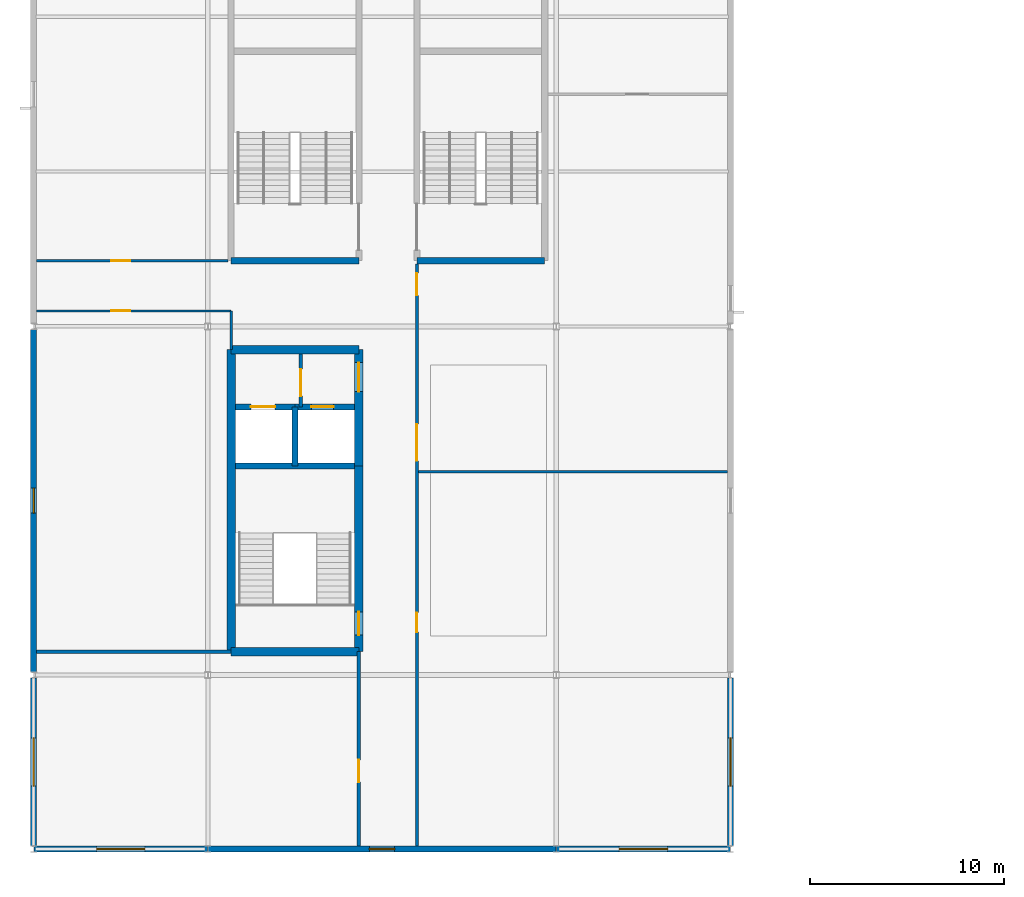
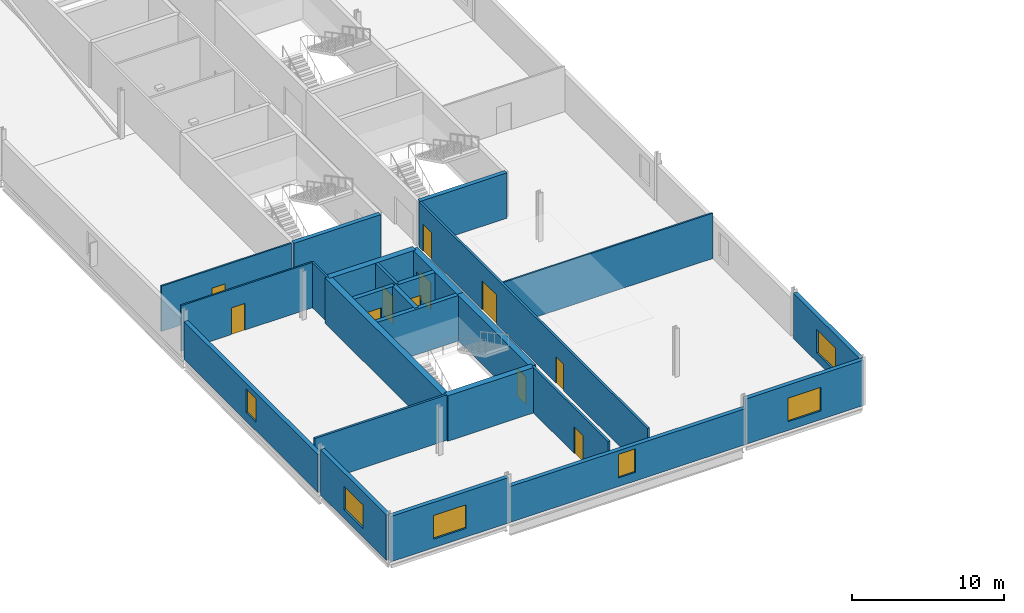
# One storey, part 11 of 27: 25 walls, 11 doors, 6 windows, 17 openings.
"""IFC4 building model written with IfcOpenShell, lengths in metres."""

import ifcopenshell
import ifcopenshell.guid

model = None  # the IFC model being written
_history = None  # IfcOwnerHistory: only IFC2X3 demands one
_inside = {}  # id of a spatial element -> (the spatial element, [elements in it])
_under = {}  # id of a project, library or spatial element -> (it, [spatial elements below it])
_declared = {}  # id of a project -> (the project, [libraries it declares])
_typed = {}  # id of a type object -> (the type object, [elements of that type])
_made_of = {}  # id of a material, layer set ... -> (it, [elements and type objects made of it])


def new_model(schema):
    """Start an empty IFC model of exactly this schema.

    Asked for "IFC4X3", IfcOpenShell would pick the latest addendum, in which some entities
    have other attributes; the version numbers below select the first issue.
    IFC2X3 requires an IfcOwnerHistory on every rooted entity: one is made here for all.
    """
    global model, _history
    if schema == "IFC4X3":
        model = ifcopenshell.file(schema_version=(4, 3, 0, 0))
    else:
        model = ifcopenshell.file(schema=schema)
    _inside.clear()
    _under.clear()
    _declared.clear()
    _typed.clear()
    _made_of.clear()
    _history = None
    if model.schema == "IFC2X3":
        org = make("IfcOrganization", Name="unknown")
        user = make(
            "IfcPersonAndOrganization",
            ThePerson=make("IfcPerson", FamilyName="unknown"),
            TheOrganization=org,
        )
        app = make(
            "IfcApplication",
            ApplicationDeveloper=org,
            Version="unknown",
            ApplicationFullName="unknown",
            ApplicationIdentifier="unknown",
        )
        _history = make(
            "IfcOwnerHistory",
            OwningUser=user,
            OwningApplication=app,
            ChangeAction="ADDED",
            CreationDate=0,
        )
    return model


def make(cls, **values):
    """One entity of the class cls with the attributes given. An attribute that is None is left unset."""
    return model.create_entity(
        cls, **{name: value for name, value in values.items() if value is not None}
    )


def rooted(cls, **values):
    """An entity with a GlobalId (a new one), such as an element, a storey or a relation."""
    return make(cls, GlobalId=ifcopenshell.guid.new(), OwnerHistory=_history, **values)


def si_unit(unit_type, name, prefix=None):
    """IfcSIUnit, for example si_unit("LENGTHUNIT", "METRE", prefix="MILLI")."""
    return make("IfcSIUnit", UnitType=unit_type, Prefix=prefix, Name=name)


def assignment(units):
    """IfcUnitAssignment: the units of a project."""
    return None if units is None else make("IfcUnitAssignment", Units=units)


def point(xyz):
    """IfcCartesianPoint."""
    return None if xyz is None else make("IfcCartesianPoint", Coordinates=xyz)


def direction(xyz):
    """IfcDirection."""
    return None if xyz is None else make("IfcDirection", DirectionRatios=xyz)


def frame(location, z_axis=None, x_axis=None):
    """IfcAxis2Placement3D, a coordinate frame: its origin and axes. An axis left out is left unset."""
    return make(
        "IfcAxis2Placement3D",
        Location=point(location),
        Axis=direction(z_axis),
        RefDirection=direction(x_axis),
    )


def frame_2d(location, x_axis=None):
    """IfcAxis2Placement2D, a coordinate frame in the plane: its origin and x axis."""
    return make(
        "IfcAxis2Placement2D", Location=point(location), RefDirection=direction(x_axis)
    )


def origin():
    """The frame at (0, 0, 0) with its axes left unset."""
    return frame((0.0, 0.0, 0.0))


def place(relative_to, where):
    """IfcLocalPlacement: puts the frame where relative to a parent placement (None: the world)."""
    return make(
        "IfcLocalPlacement", PlacementRelTo=relative_to, RelativePlacement=where
    )


def context(
    kind, dimensions, precision=None, world=None, true_north=None, identifier=None
):
    """IfcGeometricRepresentationContext, for example the 3D "Model" context."""
    return make(
        "IfcGeometricRepresentationContext",
        ContextIdentifier=identifier,
        ContextType=kind,
        CoordinateSpaceDimension=dimensions,
        Precision=precision,
        WorldCoordinateSystem=world,
        TrueNorth=true_north,
    )


def subcontext(parent, identifier, kind, view, scale=None):
    """IfcGeometricRepresentationSubContext, for example "Body" below "Model"."""
    return make(
        "IfcGeometricRepresentationSubContext",
        ContextIdentifier=identifier,
        ContextType=kind,
        ParentContext=parent,
        TargetScale=scale,
        TargetView=view,
    )


def project(units=None, contexts=None):
    """IfcProject with its units and contexts."""
    return rooted(
        "IfcProject",
        Name="project",
        RepresentationContexts=contexts,
        UnitsInContext=assignment(units),
    )


def spatial(cls, under=None, at=None, **own):
    """A site, building, storey or space (cls), placed at a placement, below another one or the project."""
    s = rooted(cls, ObjectPlacement=at, **own)
    if under is not None:
        _under.setdefault(under.id(), (under, []))[1].append(s)
    return s


def profile(cls, at=None, kind="AREA", **sizes):
    """A parametric profile (cls). Its sizes go by their IFC names, for example OverallWidth=200.0."""
    return make(cls, ProfileType=kind, Position=at, **sizes)


def rectangle(**sizes):
    """IfcRectangleProfileDef."""
    return profile("IfcRectangleProfileDef", **sizes)


def extrude(swept, where, along, depth):
    """IfcExtrudedAreaSolid: the profile swept, set in the frame where, extruded along a direction by depth."""
    return make(
        "IfcExtrudedAreaSolid",
        SweptArea=swept,
        Position=where,
        ExtrudedDirection=direction(along),
        Depth=depth,
    )


def shape(context_of_items, identifier, shape_type, items):
    """IfcShapeRepresentation: the items that make up one representation, for example the "Body"."""
    return make(
        "IfcShapeRepresentation",
        ContextOfItems=context_of_items,
        RepresentationIdentifier=identifier,
        RepresentationType=shape_type,
        Items=items,
    )


def material(Name=None, Category=None):
    """IfcMaterial."""
    return make("IfcMaterial", Name=Name, Category=Category)


def layer(
    of_material, thickness, ventilated=None, Name=None, Category=None, Priority=None
):
    """IfcMaterialLayer: one layer of a wall or slab, of a material (None: an air gap)."""
    return make(
        "IfcMaterialLayer",
        Material=of_material,
        LayerThickness=thickness,
        IsVentilated=ventilated,
        Name=Name,
        Category=Category,
        Priority=Priority,
    )


def layer_set(layers, Name=None):
    """IfcMaterialLayerSet."""
    return make("IfcMaterialLayerSet", MaterialLayers=layers, LayerSetName=Name)


def made_of(thing, what):
    """Note that an element or type object is made of a material, layer set ...; save() writes the relation."""
    if what is not None:
        _made_of.setdefault(what.id(), (what, []))[1].append(thing)
    return thing


def type_object(cls, material=None, **own):
    """A type object (cls), such as IfcWallType, which elements share."""
    return made_of(rooted(cls, **own), material)


def element(
    cls,
    number,
    at=None,
    inside=None,
    cuts=None,
    type_object=None,
    material=None,
    context=None,
    identifier="Body",
    shape_type=None,
    held_by="IfcProductDefinitionShape",
    body=None,
    shapes=None,
    **own,
):
    """One element of the class cls, such as IfcWall. Its Tag is "e" and its number.

    at: its placement. inside: the storey or other place that contains it. cuts: it is an
    opening in that element (IfcRelVoidsElement). A single representation is given by context,
    identifier, shape_type and body (its items); several are given by shapes. held_by: the class
    of the entity that holds the representations. save() writes the other relations.
    """
    e = rooted(cls, Tag="e%d" % number, ObjectPlacement=at, **own)
    if body is not None:
        shapes = [shape(context, identifier, shape_type, body)]
    if shapes is not None:
        e.Representation = make(held_by, Representations=shapes)
    if inside is not None:
        _inside.setdefault(inside.id(), (inside, []))[1].append(e)
    if cuts is not None:
        rooted(
            "IfcRelVoidsElement", RelatingBuildingElement=cuts, RelatedOpeningElement=e
        )
    if type_object is not None:
        _typed.setdefault(type_object.id(), (type_object, []))[1].append(e)
    return made_of(e, material)


def fill(opening, filler):
    """IfcRelFillsElement: the door or window that sits in an opening."""
    return rooted(
        "IfcRelFillsElement",
        RelatingOpeningElement=opening,
        RelatedBuildingElement=filler,
    )


def aggregate(whole, parts):
    """IfcRelAggregates: a whole, such as a stair, and the parts it consists of."""
    return rooted("IfcRelAggregates", RelatingObject=whole, RelatedObjects=parts)


def save(model, path):
    """Write the relations noted so far, then the file.

    IfcRelAggregates (storeys below a building ...), IfcRelContainedInSpatialStructure (elements
    in a storey), IfcRelDefinesByType, IfcRelAssociatesMaterial and IfcRelDeclares: one each for
    every whole, place, type object, material and project.
    """
    for whole, parts in _under.values():
        aggregate(whole, parts)
    for where, things in _inside.values():
        rooted(
            "IfcRelContainedInSpatialStructure",
            RelatedElements=things,
            RelatingStructure=where,
        )
    for kind, things in _typed.values():
        rooted("IfcRelDefinesByType", RelatedObjects=things, RelatingType=kind)
    for what, things in _made_of.values():
        rooted("IfcRelAssociatesMaterial", RelatedObjects=things, RelatingMaterial=what)
    for by, libraries in _declared.values():
        rooted("IfcRelDeclares", RelatingContext=by, RelatedDefinitions=libraries)
    model.write(path)


model = new_model("IFC4")

# Units and contexts
model_context = context("Model", 3, precision=1e-05, world=origin(), true_north=direction((0.0, 1.0)))
body_context = subcontext(model_context, "Body", "Model", "MODEL_VIEW")
ifc_project = project(units=[si_unit("LENGTHUNIT", "METRE"), si_unit("AREAUNIT", "SQUARE_METRE"), si_unit("VOLUMEUNIT", "CUBIC_METRE"), si_unit("PLANEANGLEUNIT", "RADIAN"), si_unit("MASSUNIT", "GRAM", prefix="KILO")], contexts=[model_context])

# Site, building, storey
site_placement = place(None, origin())
site = spatial("IfcSite", under=ifc_project, at=site_placement, CompositionType="ELEMENT")
building_placement = place(site_placement, origin())
building = spatial("IfcBuilding", under=site, at=building_placement, Name="Kisiwana Market Hall", CompositionType="ELEMENT")
storey_placement = place(building_placement, frame((0.0, 0.0, 41.699951171875)))
storey = spatial("IfcBuildingStorey", under=building, at=storey_placement, Name="L09", CompositionType="ELEMENT", Elevation=41.699951171875)

# Wall, opening, door
ifc_material_1 = material(Name="Masonry blockwork", Category="masonry")
ifc_layer_1 = layer(ifc_material_1, 0.199951171875, Name="Plastered fire compartment block wall")
ifc_layer_set_1 = layer_set([ifc_layer_1], Name="WL-COMP-200")
wall_type_1 = type_object("IfcWallType", Name="WL-COMP-200", PredefinedType="PARTITIONING", material=ifc_layer_set_1)
wall_1_placement = place(storey_placement, frame((13.800048828125, 31.844970703125, 0.0), z_axis=(0.0, 0.0, 1.0), x_axis=(0.0, 1.0, 0.0)))
wall_1 = element("IfcWall", 1, at=wall_1_placement, inside=storey, type_object=wall_type_1, Name="Core W2 firefighting lobby wall W-2543", PredefinedType="PARTITIONING", context=body_context, shape_type="SweptSolid", body=[
    extrude(rectangle(XDim=2.72998046875, YDim=0.199951171875, at=frame_2d((1.364990234375, 0.0))), origin(), (0.0, 0.0, 1.0), 3.655029296875),
])
opening_1_placement = place(wall_1_placement, frame((0.550048828125, 0.0, 0.0)))
opening_1 = element("IfcOpeningElement", 2, at=opening_1_placement, cuts=wall_1, Name="Opening DR-L09-003", PredefinedType="OPENING", context=body_context, shape_type="SweptSolid", body=[
    extrude(rectangle(XDim=1.39990234375, YDim=2.25, at=frame_2d((0.699951171875, 1.125))), frame((0.0, 0.11181640625, 0.0), z_axis=(0.0, -1.0, 0.0), x_axis=(1.0, 0.0, 0.0)), (0.0, 0.0, 1.0), 0.223876953125),
])
ifc_material_2 = material(Name="Steel S275", Category="steel")
door_type_1 = type_object("IfcDoorType", Name="DR-FFLOB-FD120-1400", OperationType="DOUBLE_DOOR_SINGLE_SWING", PredefinedType="DOOR", material=ifc_material_2)
door_1_placement = place(opening_1_placement, frame((1.39990234375, 0.0, 0.0), z_axis=(0.0, 0.0, 1.0), x_axis=(-1.0, 0.0, 0.0)))
door_1 = element("IfcDoor", 3, at=door_1_placement, inside=storey, type_object=door_type_1, Name="Firefighting Lift Lobby W2 Door (L09)", OperationType="DOUBLE_DOOR_SINGLE_SWING", OverallHeight=2.25, OverallWidth=1.39990234375, PredefinedType="DOOR", context=body_context, shape_type="SweptSolid", body=[
    extrude(rectangle(XDim=1.39990234375, YDim=2.25, at=frame_2d((0.699951171875, 1.125))), frame((0.0, 0.02490234375, 0.0), z_axis=(0.0, -1.0, 0.0), x_axis=(1.0, 0.0, 0.0)), (0.0, 0.0, 1.0), 0.050048828125),
])
fill(opening_1, door_1)

# Walls
ifc_material_3 = material(Name="Concrete C40/50", Category="concrete")
ifc_layer_2 = layer(ifc_material_3, 0.320068359375, Name="Reinforced concrete shaft wall")
ifc_layer_set_2 = layer_set([ifc_layer_2], Name="WL-CORE-320")
wall_type_2 = type_object("IfcWallType", Name="WL-CORE-320", PredefinedType="SHEAR", material=ifc_layer_set_2)
wall_2_placement = place(storey_placement, frame((10.425048828125, 28.784912109375, 0.0), z_axis=(0.0, 0.0, 1.0), x_axis=(1.0, 0.0, 0.0)))
element("IfcWall", 4, at=wall_2_placement, inside=storey, type_object=wall_type_2, Name="Core W2 shaft back shear wall W-2428", PredefinedType="SHEAR", context=body_context, shape_type="SweptSolid", body=[
    extrude(rectangle(XDim=6.14990234375, YDim=0.320068359375, at=frame_2d((3.074951171875, 0.0))), origin(), (0.0, 0.0, 1.0), 3.655029296875),
])
wall_3_placement = place(storey_placement, frame((13.5, 28.784912109375, 0.0), z_axis=(0.0, 0.0, 1.0), x_axis=(0.0, 1.0, 0.0)))
element("IfcWall", 5, at=wall_3_placement, inside=storey, type_object=wall_type_2, Name="Core W2 inter-shaft shear wall W-2429", PredefinedType="SHEAR", context=body_context, shape_type="SweptSolid", body=[
    extrude(rectangle(XDim=3.06005859375, YDim=0.320068359375, at=frame_2d((1.530029296875, 0.0))), origin(), (0.0, 0.0, 1.0), 3.655029296875),
])

# Wall, opening, door
wall_4_placement = place(storey_placement, frame((10.425048828125, 31.844970703125, 0.0), z_axis=(0.0, 0.0, 1.0), x_axis=(1.0, 0.0, 0.0)))
wall_4 = element("IfcWall", 6, at=wall_4_placement, inside=storey, type_object=wall_type_2, Name="Core W2 west lift front wall W-2430", PredefinedType="SHEAR", context=body_context, shape_type="SweptSolid", body=[
    extrude(rectangle(XDim=3.074951171875, YDim=0.320068359375, at=frame_2d((1.53759765625, 0.0))), origin(), (0.0, 0.0, 1.0), 3.655029296875),
])
opening_2_placement = place(wall_4_placement, frame((0.800048828125, 0.0, 0.0)))
opening_2 = element("IfcOpeningElement", 7, at=opening_2_placement, cuts=wall_4, Name="Opening LD-L09-001", PredefinedType="OPENING", context=body_context, shape_type="SweptSolid", body=[
    extrude(rectangle(XDim=1.25, YDim=2.25, at=frame_2d((0.625, 1.125))), frame((0.0, 0.171875, 0.0), z_axis=(0.0, -1.0, 0.0), x_axis=(1.0, 0.0, 0.0)), (0.0, 0.0, 1.0), 0.343994140625),
])
ifc_material_4 = material(Name="Steel S275", Category="steel")
door_type_2 = type_object("IfcDoorType", Name="DR-LIFT-FFL-1250", OperationType="DOUBLE_DOOR_SLIDING", PredefinedType="DOOR", material=ifc_material_4)
door_2_placement = place(opening_2_placement, origin())
door_2 = element("IfcDoor", 8, at=door_2_placement, inside=storey, type_object=door_type_2, Name="Lift Landing Door FFL-01 (L09)", OperationType="DOUBLE_DOOR_SLIDING", OverallHeight=2.25, OverallWidth=1.25, PredefinedType="DOOR", context=body_context, shape_type="SweptSolid", body=[
    extrude(rectangle(XDim=1.25, YDim=2.25, at=frame_2d((0.625, 1.125))), frame((0.0, 0.02490234375, 0.0), z_axis=(0.0, -1.0, 0.0), x_axis=(1.0, 0.0, 0.0)), (0.0, 0.0, 1.0), 0.050048828125),
])
fill(opening_2, door_2)

wall_5_placement = place(storey_placement, frame((13.5, 31.844970703125, 0.0), z_axis=(0.0, 0.0, 1.0), x_axis=(1.0, 0.0, 0.0)))
wall_5 = element("IfcWall", 9, at=wall_5_placement, inside=storey, type_object=wall_type_2, Name="Core W2 east lift front wall W-2431", PredefinedType="SHEAR", context=body_context, shape_type="SweptSolid", body=[
    extrude(rectangle(XDim=3.074951171875, YDim=0.320068359375, at=frame_2d((1.53759765625, 0.0))), origin(), (0.0, 0.0, 1.0), 3.655029296875),
])
opening_3_placement = place(wall_5_placement, frame((0.85009765625, 0.0, 0.0)))
opening_3 = element("IfcOpeningElement", 10, at=opening_3_placement, cuts=wall_5, Name="Opening LD-L09-002", PredefinedType="OPENING", context=body_context, shape_type="SweptSolid", body=[
    extrude(rectangle(XDim=1.14990234375, YDim=2.199951171875, at=frame_2d((0.574951171875, 1.10009765625))), frame((0.0, 0.171875, 0.0), z_axis=(0.0, -1.0, 0.0), x_axis=(1.0, 0.0, 0.0)), (0.0, 0.0, 1.0), 0.343994140625),
])
ifc_material_5 = material(Name="Steel S275", Category="steel")
door_type_3 = type_object("IfcDoorType", Name="DR-LIFT-PAX-1150", OperationType="DOUBLE_DOOR_SLIDING", PredefinedType="DOOR", material=ifc_material_5)
door_3_placement = place(opening_3_placement, origin())
door_3 = element("IfcDoor", 11, at=door_3_placement, inside=storey, type_object=door_type_3, Name="Lift Landing Door LP-01 (L09)", OperationType="DOUBLE_DOOR_SLIDING", OverallHeight=2.199951171875, OverallWidth=1.14990234375, PredefinedType="DOOR", context=body_context, shape_type="SweptSolid", body=[
    extrude(rectangle(XDim=1.14990234375, YDim=2.199951171875, at=frame_2d((0.574951171875, 1.10009765625))), frame((0.0, 0.02490234375, 0.0), z_axis=(0.0, -1.0, 0.0), x_axis=(1.0, 0.0, 0.0)), (0.0, 0.0, 1.0), 0.050048828125),
])
fill(opening_3, door_3)

# Walls
wall_6_placement = place(storey_placement, frame((10.199951171875, 39.39990234375, 0.0), z_axis=(0.0, 0.0, 1.0), x_axis=(1.0, 0.0, 0.0)))
element("IfcWall", 12, at=wall_6_placement, inside=storey, type_object=wall_type_2, Name="Core W3 south shear wall W-2459", PredefinedType="SHEAR", context=body_context, shape_type="SweptSolid", body=[
    extrude(rectangle(XDim=6.60009765625, YDim=0.320068359375, at=frame_2d((3.300048828125, 0.0))), origin(), (0.0, 0.0, 1.0), 3.655029296875),
])
wall_7_placement = place(storey_placement, frame((19.800048828125, 39.39990234375, 0.0), z_axis=(0.0, 0.0, 1.0), x_axis=(1.0, 0.0, 0.0)))
element("IfcWall", 13, at=wall_7_placement, inside=storey, type_object=wall_type_2, Name="Core W7 south shear wall W-2479", PredefinedType="SHEAR", context=body_context, shape_type="SweptSolid", body=[
    extrude(rectangle(XDim=6.599853515625, YDim=0.320068359375, at=frame_2d((3.2998046875, 0.0))), origin(), (0.0, 0.0, 1.0), 3.655029296875),
])
ifc_material_6 = material(Name="Concrete C40/50", Category="concrete")
ifc_layer_3 = layer(ifc_material_6, 0.449951171875, Name="Reinforced concrete core wall")
ifc_layer_set_3 = layer_set([ifc_layer_3], Name="WL-CORE-450")
wall_type_3 = type_object("IfcWallType", Name="WL-CORE-450", PredefinedType="SHEAR", material=ifc_layer_set_3)
for number, where, z_axis, x_axis, name in (
    (14, (10.199951171875, 19.199951171875, 0.0), (0.0, 0.0, 1.0), (1.0, 0.0, 0.0), "Core W2 south shear wall W-2423"),
    (15, (10.199951171875, 34.800048828125, 0.0), (0.0, 0.0, 1.0), (1.0, 0.0, 0.0), "Core W2 north shear wall W-2424"),
):
    element("IfcWall", number, at=place(storey_placement, frame(where, z_axis=z_axis, x_axis=x_axis)), inside=storey, type_object=wall_type_3, Name=name, PredefinedType="SHEAR", context=body_context, shape_type="SweptSolid", body=[
        extrude(rectangle(XDim=6.60009765625, YDim=0.449951171875, at=frame_2d((3.300048828125, 0.0))), origin(), (0.0, 0.0, 1.0), 3.655029296875),
    ])
wall_8_placement = place(storey_placement, frame((10.199951171875, 19.199951171875, 0.0), z_axis=(0.0, 0.0, 1.0), x_axis=(0.0, 1.0, 0.0)))
element("IfcWall", 16, at=wall_8_placement, inside=storey, type_object=wall_type_3, Name="Core W2 outer shear wall W-2425", PredefinedType="SHEAR", context=body_context, shape_type="SweptSolid", body=[
    extrude(rectangle(XDim=15.60009765625, YDim=0.449951171875, at=frame_2d((7.800048828125, 0.0))), origin(), (0.0, 0.0, 1.0), 3.655029296875),
])

# Wall, opening, door
wall_9_placement = place(storey_placement, frame((16.800048828125, 19.199951171875, 0.0), z_axis=(0.0, 0.0, 1.0), x_axis=(0.0, 1.0, 0.0)))
wall_9 = element("IfcWall", 17, at=wall_9_placement, inside=storey, type_object=wall_type_3, Name="Core W2 stair corridor shear wall W-2426", PredefinedType="SHEAR", context=body_context, shape_type="SweptSolid", body=[
    extrude(rectangle(XDim=9.5849609375, YDim=0.449951171875, at=frame_2d((4.79248046875, 0.0))), origin(), (0.0, 0.0, 1.0), 3.655029296875),
])
opening_4_placement = place(wall_9_placement, frame((0.85009765625, 0.0, 0.0)))
opening_4 = element("IfcOpeningElement", 18, at=opening_4_placement, cuts=wall_9, Name="Opening DR-L09-001", PredefinedType="OPENING", context=body_context, shape_type="SweptSolid", body=[
    extrude(rectangle(XDim=1.199951171875, YDim=2.199951171875, at=frame_2d((0.60009765625, 1.10009765625))), frame((0.0, 0.23681640625, 0.0), z_axis=(0.0, -1.0, 0.0), x_axis=(1.0, 0.0, 0.0)), (0.0, 0.0, 1.0), 0.473876953125),
])
ifc_material_7 = material(Name="Steel S275", Category="steel")
door_type_4 = type_object("IfcDoorType", Name="DR-STAIR-FD120-1200", OperationType="NOTDEFINED", PredefinedType="DOOR", material=ifc_material_7)
door_4_placement = place(opening_4_placement, origin())
door_4 = element("IfcDoor", 19, at=door_4_placement, inside=storey, type_object=door_type_4, Name="Escape Stair W2 Fire Door (L09)", OperationType="SINGLE_SWING_LEFT", OverallHeight=2.199951171875, OverallWidth=1.199951171875, PredefinedType="DOOR", context=body_context, shape_type="SweptSolid", body=[
    extrude(rectangle(XDim=1.199951171875, YDim=2.199951171875, at=frame_2d((0.60009765625, 1.10009765625))), frame((0.0, 0.02490234375, 0.0), z_axis=(0.0, -1.0, 0.0), x_axis=(1.0, 0.0, 0.0)), (0.0, 0.0, 1.0), 0.050048828125),
])
fill(opening_4, door_4)

wall_10_placement = place(storey_placement, frame((16.800048828125, 28.784912109375, 0.0), z_axis=(0.0, 0.0, 1.0), x_axis=(0.0, 1.0, 0.0)))
wall_10 = element("IfcWall", 20, at=wall_10_placement, inside=storey, type_object=wall_type_3, Name="Core W2 lobby corridor shear wall W-2427", PredefinedType="SHEAR", context=body_context, shape_type="SweptSolid", body=[
    extrude(rectangle(XDim=6.01513671875, YDim=0.449951171875, at=frame_2d((3.007568359375, 0.0))), origin(), (0.0, 0.0, 1.0), 3.655029296875),
])
opening_5_placement = place(wall_10_placement, frame((3.85009765625, 0.0, 0.0)))
opening_5 = element("IfcOpeningElement", 21, at=opening_5_placement, cuts=wall_10, Name="Opening DR-L09-002", PredefinedType="OPENING", context=body_context, shape_type="SweptSolid", body=[
    extrude(rectangle(XDim=1.5, YDim=2.199951171875, at=frame_2d((0.75, 1.10009765625))), frame((0.0, 0.23681640625, 0.0), z_axis=(0.0, -1.0, 0.0), x_axis=(1.0, 0.0, 0.0)), (0.0, 0.0, 1.0), 0.473876953125),
])
ifc_material_8 = material(Name="Steel S275", Category="steel")
door_type_5 = type_object("IfcDoorType", Name="DR-CORR-FD60-1500", OperationType="DOUBLE_DOOR_SINGLE_SWING", PredefinedType="DOOR", material=ifc_material_8)
door_5_placement = place(opening_5_placement, frame((1.5, 0.0, 0.0), z_axis=(0.0, 0.0, 1.0), x_axis=(-1.0, 0.0, 0.0)))
door_5 = element("IfcDoor", 22, at=door_5_placement, inside=storey, type_object=door_type_5, Name="Passenger Lift Lobby W2 Smoke Door (L09)", OperationType="DOUBLE_DOOR_SINGLE_SWING", OverallHeight=2.199951171875, OverallWidth=1.5, PredefinedType="DOOR", context=body_context, shape_type="SweptSolid", body=[
    extrude(rectangle(XDim=1.5, YDim=2.199951171875, at=frame_2d((0.75, 1.10009765625))), frame((0.0, 0.02490234375, 0.0), z_axis=(0.0, -1.0, 0.0), x_axis=(1.0, 0.0, 0.0)), (0.0, 0.0, 1.0), 0.050048828125),
])
fill(opening_5, door_5)

# Wall
ifc_material_9 = material(Name="Masonry blockwork", Category="masonry")
ifc_layer_4 = layer(ifc_material_9, 0.169921875, Name="Protected corridor partition")
ifc_layer_set_4 = layer_set([ifc_layer_4], Name="WL-CORR-170")
wall_type_4 = type_object("IfcWallType", Name="WL-CORR-170", PredefinedType="PARTITIONING", material=ifc_layer_set_4)
wall_11_placement = place(storey_placement, frame((0.157470703125, 19.199951171875, 0.0), z_axis=(0.0, 0.0, 1.0), x_axis=(1.0, 0.0, 0.0)))
element("IfcWall", 23, at=wall_11_placement, inside=storey, type_object=wall_type_4, Name="Interior partition W-2553", PredefinedType="PARTITIONING", context=body_context, shape_type="SweptSolid", body=[
    extrude(rectangle(XDim=10.04248046875, YDim=0.169921875, at=frame_2d((5.021240234375, 0.0))), origin(), (0.0, 0.0, 1.0), 3.655029296875),
])

# Wall, opening, door
wall_12_placement = place(storey_placement, frame((16.800048828125, 9.157470703125, 0.0), z_axis=(0.0, 0.0, 1.0), x_axis=(0.0, 1.0, 0.0)))
wall_12 = element("IfcWall", 24, at=wall_12_placement, inside=storey, type_object=wall_type_4, Name="Interior partition W-2559", PredefinedType="PARTITIONING", context=body_context, shape_type="SweptSolid", body=[
    extrude(rectangle(XDim=10.04248046875, YDim=0.169921875, at=frame_2d((5.021240234375, 0.0))), origin(), (0.0, 0.0, 1.0), 3.655029296875),
])
opening_6_placement = place(wall_12_placement, frame((3.300048828125, 0.0, 0.0)))
opening_6 = element("IfcOpeningElement", 25, at=opening_6_placement, cuts=wall_12, Name="Opening DR-L09-029", PredefinedType="OPENING", context=body_context, shape_type="SweptSolid", body=[
    extrude(rectangle(XDim=1.14990234375, YDim=2.14990234375, at=frame_2d((0.574951171875, 1.074951171875))), frame((0.0, 0.096923828125, 0.0), z_axis=(0.0, -1.0, 0.0), x_axis=(1.0, 0.0, 0.0)), (0.0, 0.0, 1.0), 0.19384765625),
])
ifc_material_10 = material(Name="Aluminium alloy 6063-T6", Category="aluminium")
door_type_6 = type_object("IfcDoorType", Name="DR-MEET-1150", OperationType="NOTDEFINED", PredefinedType="DOOR", material=ifc_material_10)
door_6_placement = place(opening_6_placement, origin())
door_6 = element("IfcDoor", 26, at=door_6_placement, inside=storey, type_object=door_type_6, Name="L09 W Corner Office Suite South Door", OperationType="SINGLE_SWING_LEFT", OverallHeight=2.14990234375, OverallWidth=1.14990234375, PredefinedType="DOOR", context=body_context, shape_type="SweptSolid", body=[
    extrude(rectangle(XDim=1.14990234375, YDim=2.14990234375, at=frame_2d((0.574951171875, 1.074951171875))), frame((0.0, 0.02490234375, 0.0), z_axis=(0.0, -1.0, 0.0), x_axis=(1.0, 0.0, 0.0)), (0.0, 0.0, 1.0), 0.050048828125),
])
fill(opening_6, door_6)

# Wall, openings, doors
wall_13_placement = place(storey_placement, frame((19.800048828125, 9.157470703125, 0.0), z_axis=(0.0, 0.0, 1.0), x_axis=(0.0, 1.0, 0.0)))
wall_13 = element("IfcWall", 27, at=wall_13_placement, inside=storey, type_object=wall_type_4, Name="Interior partition W-2565", PredefinedType="PARTITIONING", context=body_context, shape_type="SweptSolid", body=[
    extrude(rectangle(XDim=30.08251953125, YDim=0.169921875, at=frame_2d((15.041259765625, 0.0))), origin(), (0.0, 0.0, 1.0), 3.655029296875),
])
opening_7_placement = place(wall_13_placement, frame((11.052978515625, 0.0, 0.0)))
opening_7 = element("IfcOpeningElement", 28, at=opening_7_placement, cuts=wall_13, Name="Opening DR-L09-032", PredefinedType="OPENING", context=body_context, shape_type="SweptSolid", body=[
    extrude(rectangle(XDim=1.0, YDim=2.14990234375, at=frame_2d((0.5, 1.074951171875))), frame((0.0, 0.096923828125, 0.0), z_axis=(0.0, -1.0, 0.0), x_axis=(1.0, 0.0, 0.0)), (0.0, 0.0, 1.0), 0.19384765625),
])
opening_8_placement = place(wall_13_placement, frame((28.452880859375, 0.0, 0.0)))
opening_8 = element("IfcOpeningElement", 29, at=opening_8_placement, cuts=wall_13, Name="Opening DR-L09-033", PredefinedType="OPENING", context=body_context, shape_type="SweptSolid", body=[
    extrude(rectangle(XDim=1.14990234375, YDim=2.14990234375, at=frame_2d((0.574951171875, 1.074951171875))), frame((0.0, 0.096923828125, 0.0), z_axis=(0.0, -1.0, 0.0), x_axis=(1.0, 0.0, 0.0)), (0.0, 0.0, 1.0), 0.19384765625),
])
opening_9_placement = place(wall_13_placement, frame((19.89306640625, 0.0, 0.0)))
opening_9 = element("IfcOpeningElement", 30, at=opening_9_placement, cuts=wall_13, Name="Opening DR-L09-034", PredefinedType="OPENING", context=body_context, shape_type="SweptSolid", body=[
    extrude(rectangle(XDim=1.89990234375, YDim=2.35009765625, at=frame_2d((0.949951171875, 1.175048828125))), frame((0.0, 0.096923828125, 0.0), z_axis=(0.0, -1.0, 0.0), x_axis=(1.0, 0.0, 0.0)), (0.0, 0.0, 1.0), 0.19384765625),
])
ifc_material_11 = material(Name="Steel S275", Category="steel")
door_type_7 = type_object("IfcDoorType", Name="DR-HALL-1900", OperationType="DOUBLE_DOOR_SINGLE_SWING", PredefinedType="DOOR", material=ifc_material_11)
door_7_placement = place(opening_9_placement, frame((1.89990234375, 0.0, 0.0), z_axis=(0.0, 0.0, 1.0), x_axis=(-1.0, 0.0, 0.0)))
door_7 = element("IfcDoor", 31, at=door_7_placement, inside=storey, type_object=door_type_7, Name="L09 W Boardroom Suite M2 Exit Door", OperationType="DOUBLE_DOOR_SINGLE_SWING", OverallHeight=2.35009765625, OverallWidth=1.89990234375, PredefinedType="DOOR", context=body_context, shape_type="SweptSolid", body=[
    extrude(rectangle(XDim=1.89990234375, YDim=2.35009765625, at=frame_2d((0.949951171875, 1.175048828125))), frame((0.0, 0.02490234375, 0.0), z_axis=(0.0, -1.0, 0.0), x_axis=(1.0, 0.0, 0.0)), (0.0, 0.0, 1.0), 0.050048828125),
])
fill(opening_9, door_7)
door_8_placement = place(opening_8_placement, frame((1.14990234375, 0.0, 0.0), z_axis=(0.0, 0.0, 1.0), x_axis=(-1.0, 0.0, 0.0)))
door_8 = element("IfcDoor", 32, at=door_8_placement, inside=storey, type_object=door_type_6, Name="L09 W Boardroom Suite M2 Door", OperationType="SINGLE_SWING_LEFT", OverallHeight=2.14990234375, OverallWidth=1.14990234375, PredefinedType="DOOR", context=body_context, shape_type="SweptSolid", body=[
    extrude(rectangle(XDim=1.14990234375, YDim=2.14990234375, at=frame_2d((0.574951171875, 1.074951171875))), frame((0.0, 0.02490234375, 0.0), z_axis=(0.0, -1.0, 0.0), x_axis=(1.0, 0.0, 0.0)), (0.0, 0.0, 1.0), 0.050048828125),
])
fill(opening_8, door_8)
ifc_material_12 = material(Name="Aluminium alloy 6063-T6", Category="aluminium")
door_type_8 = type_object("IfcDoorType", Name="DR-OFF-1000", OperationType="NOTDEFINED", PredefinedType="DOOR", material=ifc_material_12)
door_9_placement = place(opening_7_placement, frame((1.0, 0.0, 0.0), z_axis=(0.0, 0.0, 1.0), x_axis=(-1.0, 0.0, 0.0)))
door_9 = element("IfcDoor", 33, at=door_9_placement, inside=storey, type_object=door_type_8, Name="L09 W Mid-Rise Office Suite M1 Door", OperationType="SINGLE_SWING_RIGHT", OverallHeight=2.14990234375, OverallWidth=1.0, PredefinedType="DOOR", context=body_context, shape_type="SweptSolid", body=[
    extrude(rectangle(XDim=1.0, YDim=2.14990234375, at=frame_2d((0.5, 1.074951171875))), frame((0.0, 0.02490234375, 0.0), z_axis=(0.0, -1.0, 0.0), x_axis=(1.0, 0.0, 0.0)), (0.0, 0.0, 1.0), 0.050048828125),
])
fill(opening_7, door_9)

# Wall, opening, window
ifc_material_13 = material(Name="Concrete C40/50 precast", Category="concrete")
ifc_layer_5 = layer(ifc_material_13, 0.31494140625)
ifc_layer_set_5 = layer_set([ifc_layer_5], Name="WL-EXT-315")
wall_type_5 = type_object("IfcWallType", Name="WL-EXT-315", PredefinedType="STANDARD", material=ifc_layer_set_5)
wall_14_placement = place(storey_placement, frame((0.010009765625, 9.0, 0.0), z_axis=(0.0, 0.0, 1.0), x_axis=(1.0, 0.0, 0.0)))
wall_14 = element("IfcWall", 34, at=wall_14_placement, inside=storey, type_object=wall_type_5, Name="Exterior wall W-2507", PredefinedType="STANDARD", context=body_context, shape_type="SweptSolid", body=[
    extrude(rectangle(XDim=8.97998046875, YDim=0.31494140625, at=frame_2d((4.489990234375, 0.0))), origin(), (0.0, 0.0, 1.0), 3.655029296875),
])
opening_10_placement = place(wall_14_placement, frame((3.239990234375, 0.0, 0.699951171875)))
opening_10 = element("IfcOpeningElement", 35, at=opening_10_placement, cuts=wall_14, Name="Opening WN-17", PredefinedType="OPENING", context=body_context, shape_type="SweptSolid", body=[
    extrude(rectangle(XDim=2.5, YDim=1.89990234375, at=frame_2d((1.25, 0.949951171875))), frame((0.0, 0.16943359375, 0.0), z_axis=(0.0, -1.0, 0.0), x_axis=(1.0, 0.0, 0.0)), (0.0, 0.0, 1.0), 0.3388671875),
])
ifc_material_14 = material(Name="Double-glazed solar-control low-E IGU", Category="glass")
window_type_1 = type_object("IfcWindowType", Name="WN-OFFB-2500x1900", PartitioningType="SINGLE_PANEL", PredefinedType="WINDOW", material=ifc_material_14)
window_1_placement = place(opening_10_placement, origin())
window_1 = element("IfcWindow", 36, at=window_1_placement, inside=storey, type_object=window_type_1, Name="Exterior window WN-278", OverallHeight=1.89990234375, OverallWidth=2.5, PartitioningType="SINGLE_PANEL", PredefinedType="WINDOW", context=body_context, shape_type="SweptSolid", body=[
    extrude(rectangle(XDim=2.5, YDim=1.89990234375, at=frame_2d((1.25, 0.949951171875))), frame((0.0, 0.030029296875, 0.0), z_axis=(0.0, -1.0, 0.0), x_axis=(1.0, 0.0, 0.0)), (0.0, 0.0, 1.0), 0.06005859375),
])
fill(opening_10, window_1)

wall_15_placement = place(storey_placement, frame((9.010009765625, 9.0, 0.0), z_axis=(0.0, 0.0, 1.0), x_axis=(1.0, 0.0, 0.0)))
wall_15 = element("IfcWall", 37, at=wall_15_placement, inside=storey, type_object=wall_type_5, Name="Exterior wall W-2508", PredefinedType="STANDARD", context=body_context, shape_type="SweptSolid", body=[
    extrude(rectangle(XDim=17.97998046875, YDim=0.31494140625, at=frame_2d((8.989990234375, 0.0))), origin(), (0.0, 0.0, 1.0), 2.892822265625),
])
opening_11_placement = place(wall_15_placement, frame((8.340087890625, 0.0, 0.699951171875)))
opening_11 = element("IfcOpeningElement", 38, at=opening_11_placement, cuts=wall_15, Name="Opening WN-08", PredefinedType="OPENING", context=body_context, shape_type="SweptSolid", body=[
    extrude(rectangle(XDim=1.300048828125, YDim=1.89990234375, at=frame_2d((0.64990234375, 0.949951171875))), frame((0.0, 0.16943359375, 0.0), z_axis=(0.0, -1.0, 0.0), x_axis=(1.0, 0.0, 0.0)), (0.0, 0.0, 1.0), 0.3388671875),
])
ifc_material_15 = material(Name="Double-glazed solar-control low-E IGU", Category="glass")
window_type_2 = type_object("IfcWindowType", Name="WN-OFFB-1300x1900", PartitioningType="SINGLE_PANEL", PredefinedType="WINDOW", material=ifc_material_15)
window_2_placement = place(opening_11_placement, origin())
window_2 = element("IfcWindow", 39, at=window_2_placement, inside=storey, type_object=window_type_2, Name="Exterior window WN-258", OverallHeight=1.89990234375, OverallWidth=1.300048828125, PartitioningType="SINGLE_PANEL", PredefinedType="WINDOW", context=body_context, shape_type="SweptSolid", body=[
    extrude(rectangle(XDim=1.300048828125, YDim=1.89990234375, at=frame_2d((0.64990234375, 0.949951171875))), frame((0.0, 0.030029296875, 0.0), z_axis=(0.0, -1.0, 0.0), x_axis=(1.0, 0.0, 0.0)), (0.0, 0.0, 1.0), 0.06005859375),
])
fill(opening_11, window_2)

wall_16_placement = place(storey_placement, frame((27.010009765625, 9.0, 0.0), z_axis=(0.0, 0.0, 1.0), x_axis=(1.0, 0.0, 0.0)))
wall_16 = element("IfcWall", 40, at=wall_16_placement, inside=storey, type_object=wall_type_5, Name="Exterior wall W-2509", PredefinedType="STANDARD", context=body_context, shape_type="SweptSolid", body=[
    extrude(rectangle(XDim=8.97998046875, YDim=0.31494140625, at=frame_2d((4.489990234375, 0.0))), origin(), (0.0, 0.0, 1.0), 3.655029296875),
])
opening_12_placement = place(wall_16_placement, frame((3.239990234375, 0.0, 0.699951171875)))
opening_12 = element("IfcOpeningElement", 41, at=opening_12_placement, cuts=wall_16, Name="Opening WN-17", PredefinedType="OPENING", context=body_context, shape_type="SweptSolid", body=[
    extrude(rectangle(XDim=2.5, YDim=1.89990234375, at=frame_2d((1.25, 0.949951171875))), frame((0.0, 0.16943359375, 0.0), z_axis=(0.0, -1.0, 0.0), x_axis=(1.0, 0.0, 0.0)), (0.0, 0.0, 1.0), 0.3388671875),
])
window_3_placement = place(opening_12_placement, origin())
window_3 = element("IfcWindow", 42, at=window_3_placement, inside=storey, type_object=window_type_1, Name="Exterior window WN-279", OverallHeight=1.89990234375, OverallWidth=2.5, PartitioningType="SINGLE_PANEL", PredefinedType="WINDOW", context=body_context, shape_type="SweptSolid", body=[
    extrude(rectangle(XDim=2.5, YDim=1.89990234375, at=frame_2d((1.25, 0.949951171875))), frame((0.0, 0.030029296875, 0.0), z_axis=(0.0, -1.0, 0.0), x_axis=(1.0, 0.0, 0.0)), (0.0, 0.0, 1.0), 0.06005859375),
])
fill(opening_12, window_3)

wall_17_placement = place(storey_placement, frame((0.0, 9.159423828125, 0.0), z_axis=(0.0, 0.0, 1.0), x_axis=(0.0, 1.0, 0.0)))
wall_17 = element("IfcWall", 43, at=wall_17_placement, inside=storey, type_object=wall_type_5, Name="Exterior wall W-2519", PredefinedType="STANDARD", context=body_context, shape_type="SweptSolid", body=[
    extrude(rectangle(XDim=8.68115234375, YDim=0.31494140625, at=frame_2d((4.340576171875, 0.0))), origin(), (0.0, 0.0, 1.0), 3.655029296875),
])
opening_13_placement = place(wall_17_placement, frame((3.090576171875, 0.0, 0.699951171875)))
opening_13 = element("IfcOpeningElement", 44, at=opening_13_placement, cuts=wall_17, Name="Opening WN-17", PredefinedType="OPENING", context=body_context, shape_type="SweptSolid", body=[
    extrude(rectangle(XDim=2.5, YDim=1.89990234375, at=frame_2d((1.25, 0.949951171875))), frame((0.0, 0.16943359375, 0.0), z_axis=(0.0, -1.0, 0.0), x_axis=(1.0, 0.0, 0.0)), (0.0, 0.0, 1.0), 0.3388671875),
])
window_4_placement = place(opening_13_placement, origin())
window_4 = element("IfcWindow", 45, at=window_4_placement, inside=storey, type_object=window_type_1, Name="Exterior window WN-286", OverallHeight=1.89990234375, OverallWidth=2.5, PartitioningType="SINGLE_PANEL", PredefinedType="WINDOW", context=body_context, shape_type="SweptSolid", body=[
    extrude(rectangle(XDim=2.5, YDim=1.89990234375, at=frame_2d((1.25, 0.949951171875))), frame((0.0, 0.030029296875, 0.0), z_axis=(0.0, -1.0, 0.0), x_axis=(1.0, 0.0, 0.0)), (0.0, 0.0, 1.0), 0.06005859375),
])
fill(opening_13, window_4)

wall_18_placement = place(storey_placement, frame((0.0, 18.159423828125, 0.0), z_axis=(0.0, 0.0, 1.0), x_axis=(0.0, 1.0, 0.0)))
wall_18 = element("IfcWall", 46, at=wall_18_placement, inside=storey, type_object=wall_type_5, Name="Exterior wall W-2520", PredefinedType="STANDARD", context=body_context, shape_type="SweptSolid", body=[
    extrude(rectangle(XDim=17.68115234375, YDim=0.31494140625, at=frame_2d((8.840576171875, 0.0))), origin(), (0.0, 0.0, 1.0), 3.04296875),
])
opening_14_placement = place(wall_18_placement, frame((8.190673828125, 0.0, 0.699951171875)))
opening_14 = element("IfcOpeningElement", 47, at=opening_14_placement, cuts=wall_18, Name="Opening WN-08", PredefinedType="OPENING", context=body_context, shape_type="SweptSolid", body=[
    extrude(rectangle(XDim=1.300048828125, YDim=1.89990234375, at=frame_2d((0.64990234375, 0.949951171875))), frame((0.0, 0.16943359375, 0.0), z_axis=(0.0, -1.0, 0.0), x_axis=(1.0, 0.0, 0.0)), (0.0, 0.0, 1.0), 0.3388671875),
])
window_5_placement = place(opening_14_placement, origin())
window_5 = element("IfcWindow", 48, at=window_5_placement, inside=storey, type_object=window_type_2, Name="Exterior window WN-262", OverallHeight=1.89990234375, OverallWidth=1.300048828125, PartitioningType="SINGLE_PANEL", PredefinedType="WINDOW", context=body_context, shape_type="SweptSolid", body=[
    extrude(rectangle(XDim=1.300048828125, YDim=1.89990234375, at=frame_2d((0.64990234375, 0.949951171875))), frame((0.0, 0.030029296875, 0.0), z_axis=(0.0, -1.0, 0.0), x_axis=(1.0, 0.0, 0.0)), (0.0, 0.0, 1.0), 0.06005859375),
])
fill(opening_14, window_5)

wall_19_placement = place(storey_placement, frame((36.0, 9.159423828125, 0.0), z_axis=(0.0, 0.0, 1.0), x_axis=(0.0, 1.0, 0.0)))
wall_19 = element("IfcWall", 49, at=wall_19_placement, inside=storey, type_object=wall_type_5, Name="Exterior wall W-2525", PredefinedType="STANDARD", context=body_context, shape_type="SweptSolid", body=[
    extrude(rectangle(XDim=8.68115234375, YDim=0.31494140625, at=frame_2d((4.340576171875, 0.0))), origin(), (0.0, 0.0, 1.0), 3.655029296875),
])
opening_15_placement = place(wall_19_placement, frame((3.090576171875, 0.0, 0.699951171875)))
opening_15 = element("IfcOpeningElement", 50, at=opening_15_placement, cuts=wall_19, Name="Opening WN-17", PredefinedType="OPENING", context=body_context, shape_type="SweptSolid", body=[
    extrude(rectangle(XDim=2.5, YDim=1.89990234375, at=frame_2d((1.25, 0.949951171875))), frame((0.0, 0.16943359375, 0.0), z_axis=(0.0, -1.0, 0.0), x_axis=(1.0, 0.0, 0.0)), (0.0, 0.0, 1.0), 0.3388671875),
])
window_6_placement = place(opening_15_placement, origin())
window_6 = element("IfcWindow", 51, at=window_6_placement, inside=storey, type_object=window_type_1, Name="Exterior window WN-288", OverallHeight=1.89990234375, OverallWidth=2.5, PartitioningType="SINGLE_PANEL", PredefinedType="WINDOW", context=body_context, shape_type="SweptSolid", body=[
    extrude(rectangle(XDim=2.5, YDim=1.89990234375, at=frame_2d((1.25, 0.949951171875))), frame((0.0, 0.030029296875, 0.0), z_axis=(0.0, -1.0, 0.0), x_axis=(1.0, 0.0, 0.0)), (0.0, 0.0, 1.0), 0.06005859375),
])
fill(opening_15, window_6)

# Wall
ifc_material_16 = material(Name="Gypsum plasterboard")
ifc_layer_6 = layer(ifc_material_16, 0.125, Name="Double gypsum board + acoustic stud")
ifc_layer_set_6 = layer_set([ifc_layer_6], Name="WL-OFF-125")
wall_type_6 = type_object("IfcWallType", Name="WL-OFF-125", PredefinedType="PARTITIONING", material=ifc_layer_set_6)
wall_20_placement = place(storey_placement, frame((10.199951171875, 34.800048828125, 0.0), z_axis=(0.0, 0.0, 1.0), x_axis=(0.0, 1.0, 0.0)))
element("IfcWall", 52, at=wall_20_placement, inside=storey, type_object=wall_type_6, Name="Interior partition W-2551", PredefinedType="PARTITIONING", context=body_context, shape_type="SweptSolid", body=[
    extrude(rectangle(XDim=2.0, YDim=0.125, at=frame_2d((1.0, 0.0))), origin(), (0.0, 0.0, 1.0), 3.655029296875),
])

# Wall, opening, door
wall_21_placement = place(storey_placement, frame((0.157470703125, 36.800048828125, 0.0), z_axis=(0.0, 0.0, 1.0), x_axis=(1.0, 0.0, 0.0)))
wall_21 = element("IfcWall", 53, at=wall_21_placement, inside=storey, type_object=wall_type_6, Name="Interior partition W-2555", PredefinedType="PARTITIONING", context=body_context, shape_type="SweptSolid", body=[
    extrude(rectangle(XDim=10.04248046875, YDim=0.125, at=frame_2d((5.021240234375, 0.0))), origin(), (0.0, 0.0, 1.0), 3.655029296875),
])
opening_16_placement = place(wall_21_placement, frame((3.842041015625, 0.0, 0.0)))
opening_16 = element("IfcOpeningElement", 54, at=opening_16_placement, cuts=wall_21, Name="Opening DR-L09-026", PredefinedType="OPENING", context=body_context, shape_type="SweptSolid", body=[
    extrude(rectangle(XDim=1.0, YDim=2.14990234375, at=frame_2d((0.5, 1.074951171875))), frame((0.0, 0.074462890625, 0.0), z_axis=(0.0, -1.0, 0.0), x_axis=(1.0, 0.0, 0.0)), (0.0, 0.0, 1.0), 0.14892578125),
])
door_10_placement = place(opening_16_placement, frame((1.0, 0.0, 0.0), z_axis=(0.0, 0.0, 1.0), x_axis=(-1.0, 0.0, 0.0)))
door_10 = element("IfcDoor", 55, at=door_10_placement, inside=storey, type_object=door_type_8, Name="L09 W Commercial Office South Door", OperationType="SINGLE_SWING_RIGHT", OverallHeight=2.14990234375, OverallWidth=1.0, PredefinedType="DOOR", context=body_context, shape_type="SweptSolid", body=[
    extrude(rectangle(XDim=1.0, YDim=2.14990234375, at=frame_2d((0.5, 1.074951171875))), frame((0.0, 0.02490234375, 0.0), z_axis=(0.0, -1.0, 0.0), x_axis=(1.0, 0.0, 0.0)), (0.0, 0.0, 1.0), 0.050048828125),
])
fill(opening_16, door_10)

wall_22_placement = place(storey_placement, frame((0.157470703125, 39.39990234375, 0.0), z_axis=(0.0, 0.0, 1.0), x_axis=(1.0, 0.0, 0.0)))
wall_22 = element("IfcWall", 56, at=wall_22_placement, inside=storey, type_object=wall_type_6, Name="Interior partition W-2556", PredefinedType="PARTITIONING", context=body_context, shape_type="SweptSolid", body=[
    extrude(rectangle(XDim=9.882568359375, YDim=0.125, at=frame_2d((4.94140625, 0.0))), origin(), (0.0, 0.0, 1.0), 3.655029296875),
])
opening_17_placement = place(wall_22_placement, frame((3.842041015625, 0.0, 0.0)))
opening_17 = element("IfcOpeningElement", 57, at=opening_17_placement, cuts=wall_22, Name="Opening DR-L09-027", PredefinedType="OPENING", context=body_context, shape_type="SweptSolid", body=[
    extrude(rectangle(XDim=1.0, YDim=2.14990234375, at=frame_2d((0.5, 1.074951171875))), frame((0.0, 0.074462890625, 0.0), z_axis=(0.0, -1.0, 0.0), x_axis=(1.0, 0.0, 0.0)), (0.0, 0.0, 1.0), 0.14892578125),
])
door_11_placement = place(opening_17_placement, origin())
door_11 = element("IfcDoor", 58, at=door_11_placement, inside=storey, type_object=door_type_8, Name="L09 W Commercial Office Central Door", OperationType="SINGLE_SWING_LEFT", OverallHeight=2.14990234375, OverallWidth=1.0, PredefinedType="DOOR", context=body_context, shape_type="SweptSolid", body=[
    extrude(rectangle(XDim=1.0, YDim=2.14990234375, at=frame_2d((0.5, 1.074951171875))), frame((0.0, 0.02490234375, 0.0), z_axis=(0.0, -1.0, 0.0), x_axis=(1.0, 0.0, 0.0)), (0.0, 0.0, 1.0), 0.050048828125),
])
fill(opening_17, door_11)

# Wall
wall_23_placement = place(storey_placement, frame((19.885009765625, 28.5, 0.0), z_axis=(0.0, 0.0, 1.0), x_axis=(1.0, 0.0, 0.0)))
element("IfcWall", 59, at=wall_23_placement, inside=storey, type_object=wall_type_6, Name="Interior partition W-2561", PredefinedType="PARTITIONING", context=body_context, shape_type="SweptSolid", body=[
    extrude(rectangle(XDim=15.95751953125, YDim=0.125, at=frame_2d((7.978759765625, 0.0))), origin(), (0.0, 0.0, 1.0), 3.655029296875),
])

save(model, "model.ifc")
